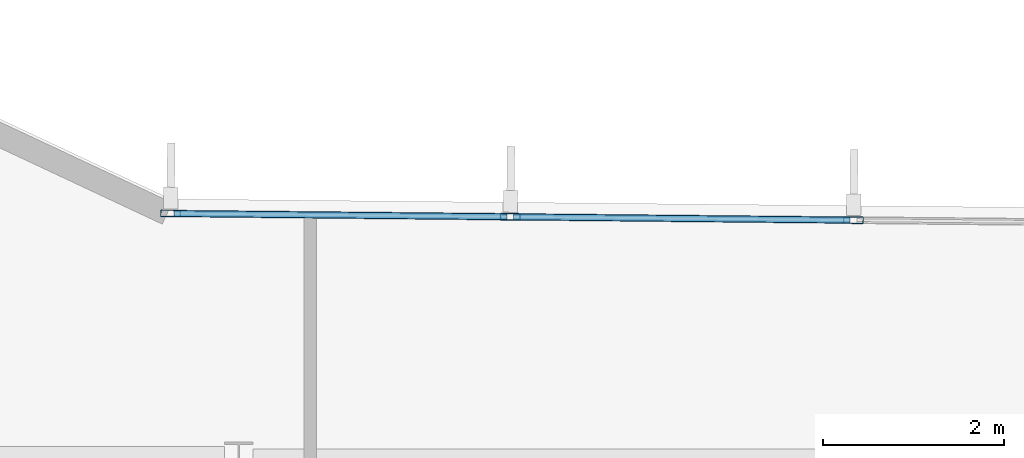
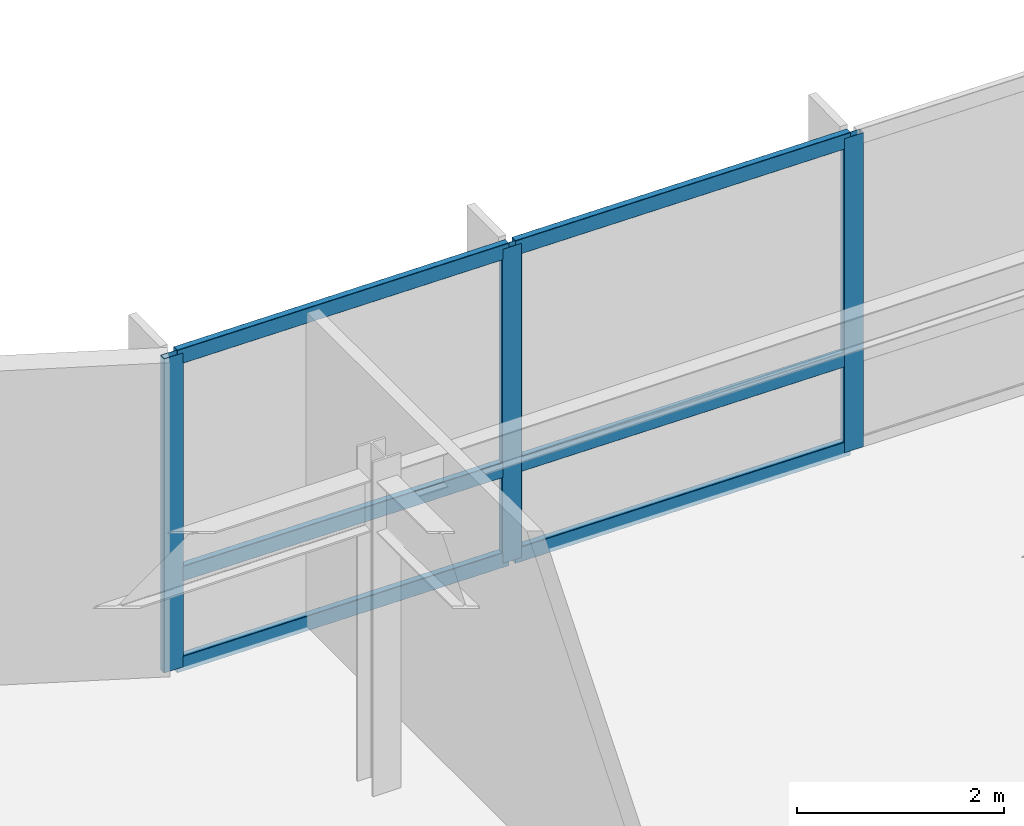
# One storey, part 4 of 18: 9 members, 1 element without a shape of its own.
"""IFC4 building model written with IfcOpenShell, lengths in metres."""

from ifc_helpers import new_model, si_unit, direction, frame, origin, origin_2d, place, context, subcontext, project, spatial, hollow_rectangle, extrude, material, layer, layer_set, material_profile, profile_set, type_object, element, aggregate, save


model = new_model("IFC4")

# Units and contexts
model_context = context("Model", 3, precision=1e-05, world=origin(), true_north=direction((0.0, 1.0)))
body_context = subcontext(model_context, "Body", "Model", "MODEL_VIEW")
ifc_project = project(units=[si_unit("LENGTHUNIT", "METRE"), si_unit("AREAUNIT", "SQUARE_METRE"), si_unit("VOLUMEUNIT", "CUBIC_METRE"), si_unit("PLANEANGLEUNIT", "RADIAN"), si_unit("MASSUNIT", "GRAM", prefix="KILO")], contexts=[model_context])

# Site, building, storey
site_placement = place(None, origin())
site = spatial("IfcSite", under=ifc_project, at=site_placement, CompositionType="ELEMENT")
building_placement = place(site_placement, origin())
building = spatial("IfcBuilding", under=site, at=building_placement, Name="Varnakote Quay Hospital", CompositionType="ELEMENT")
storey_placement = place(building_placement, frame((0.0, 0.0, 73.85009765625)))
storey = spatial("IfcBuildingStorey", under=building, at=storey_placement, Name="L18", CompositionType="ELEMENT", Elevation=73.85009765625)

# Curtain wall, members
ifc_material_1 = material(Name="Anodised aluminium 6063-T6 Bronze", Category="aluminium")
ifc_layer = layer(ifc_material_1, 0.18994140625)
ifc_layer_set = layer_set([ifc_layer], Name="Anodised aluminium 6063-T6 Bronze")
curtain_wall_type = type_object("IfcCurtainWallType", Name="CW-SYS-2", PredefinedType="NOTDEFINED", material=ifc_layer_set)
curtain_wall_placement = place(storey_placement, origin())
curtain_wall = element("IfcCurtainWall", 1, at=curtain_wall_placement, inside=storey, type_object=curtain_wall_type, Name="L18 Unitised Bronze Curtain Wall 2", PredefinedType="NOTDEFINED")
ifc_material_2 = material(Name="Anodised aluminium 6063-T6 Bronze", Category="aluminium")
ifc_material_profile_1 = material_profile(ifc_material_2, hollow_rectangle(XDim=0.074951171875, YDim=0.219970703125, WallThickness=0.00439453125, InnerFilletRadius=0.00439453125, OuterFilletRadius=0.009033203125, at=origin_2d()), Name="CW-MULL-220x75")
ifc_profile_set_1 = profile_set([ifc_material_profile_1], Name="Anodised aluminium 6063-T6 Bronze")
member_type_1 = type_object("IfcMemberType", Name="CW-MULL-220x75", PredefinedType="MULLION", material=ifc_profile_set_1)
member_1_placement = place(storey_placement, frame((31.99853515625, 31.418212890625, 0.0), z_axis=(0.0, 0.0, 1.0), x_axis=(-0.009774266312, -0.999952230718, 0.0)))
member_1 = element("IfcMember", 2, at=member_1_placement, type_object=member_type_1, Name="-2-L18-2 mullion 3", PredefinedType="MULLION", context=body_context, shape_type="SweptSolid", body=[
    extrude(hollow_rectangle(XDim=0.074951171875, YDim=0.219970703125, WallThickness=0.00439453125, InnerFilletRadius=0.00439453125, OuterFilletRadius=0.009033203125, at=origin_2d()), origin(), (0.0, 0.0, 1.0), 3.7099609375),
])
member_2_placement = place(storey_placement, frame((28.203125, 31.455078125, 0.0), z_axis=(0.0, 0.0, 1.0), x_axis=(-0.009774266312, -0.999952230718, 0.0)))
member_2 = element("IfcMember", 3, at=member_2_placement, type_object=member_type_1, Name="-2-L18-2 mullion 4", PredefinedType="MULLION", context=body_context, shape_type="SweptSolid", body=[
    extrude(hollow_rectangle(XDim=0.074951171875, YDim=0.219970703125, WallThickness=0.00439453125, InnerFilletRadius=0.00439453125, OuterFilletRadius=0.009033203125, at=origin_2d()), origin(), (0.0, 0.0, 1.0), 3.7099609375),
])
member_3_placement = place(storey_placement, frame((24.445068359375, 31.491943359375, 0.0), z_axis=(0.0, 0.0, 1.0), x_axis=(-0.009774266312, -0.999952230718, 0.0)))
member_3 = element("IfcMember", 4, at=member_3_placement, type_object=member_type_1, Name="-2-L18-2 mullion 5", PredefinedType="MULLION", context=body_context, shape_type="SweptSolid", body=[
    extrude(hollow_rectangle(XDim=0.074951171875, YDim=0.219970703125, WallThickness=0.00439453125, InnerFilletRadius=0.00439453125, OuterFilletRadius=0.009033203125, at=origin_2d()), origin(), (0.0, 0.0, 1.0), 3.7099609375),
])
ifc_material_3 = material(Name="Anodised aluminium 6063-T6 Bronze", Category="aluminium")
ifc_material_profile_2 = material_profile(ifc_material_3, hollow_rectangle(XDim=0.074951171875, YDim=0.179931640625, WallThickness=0.004150390625, InnerFilletRadius=0.004150390625, OuterFilletRadius=0.00830078125, at=origin_2d()), Name="CW-TRAN-180x75")
ifc_profile_set_2 = profile_set([ifc_material_profile_2], Name="Anodised aluminium 6063-T6 Bronze")
member_type_2 = type_object("IfcMemberType", Name="CW-TRAN-180x75", PredefinedType="USERDEFINED", material=ifc_profile_set_2)
member_4_placement = place(storey_placement, frame((31.961181640625, 31.41845703125, 0.037353515625), z_axis=(-0.999952209511, 0.009776435644, 0.0), x_axis=(-0.009776435644, -0.999952209511, 0.0)))
member_4 = element("IfcMember", 5, at=member_4_placement, type_object=member_type_2, Name="-2-L18-2 transom 3.1", ObjectType="TRANSOM", PredefinedType="USERDEFINED", context=body_context, shape_type="SweptSolid", body=[
    extrude(hollow_rectangle(XDim=0.074951171875, YDim=0.179931640625, WallThickness=0.004150390625, InnerFilletRadius=0.004150390625, OuterFilletRadius=0.00830078125, at=origin_2d()), origin(), (0.0, 0.0, 1.0), 3.720947265625),
])
member_5_placement = place(storey_placement, frame((31.961181640625, 31.41845703125, 1.099853515625), z_axis=(-0.999952209511, 0.009776435644, 0.0), x_axis=(-0.009776435644, -0.999952209511, 0.0)))
member_5 = element("IfcMember", 6, at=member_5_placement, type_object=member_type_2, Name="-2-L18-2 transom 3.2", ObjectType="TRANSOM", PredefinedType="USERDEFINED", context=body_context, shape_type="SweptSolid", body=[
    extrude(hollow_rectangle(XDim=0.074951171875, YDim=0.179931640625, WallThickness=0.004150390625, InnerFilletRadius=0.004150390625, OuterFilletRadius=0.00830078125, at=origin_2d()), origin(), (0.0, 0.0, 1.0), 3.720947265625),
])
member_6_placement = place(storey_placement, frame((31.961181640625, 31.41845703125, 3.67236328125), z_axis=(-0.999952209511, 0.009776435644, 0.0), x_axis=(-0.009776435644, -0.999952209511, 0.0)))
member_6 = element("IfcMember", 7, at=member_6_placement, type_object=member_type_2, Name="-2-L18-2 transom 3.3", ObjectType="TRANSOM", PredefinedType="USERDEFINED", context=body_context, shape_type="SweptSolid", body=[
    extrude(hollow_rectangle(XDim=0.074951171875, YDim=0.179931640625, WallThickness=0.004150390625, InnerFilletRadius=0.004150390625, OuterFilletRadius=0.00830078125, at=origin_2d()), origin(), (0.0, 0.0, 1.0), 3.720947265625),
])
member_7_placement = place(storey_placement, frame((28.16552734375, 31.45556640625, 0.037353515625), z_axis=(-0.999952523017, 0.00974431693, 0.0), x_axis=(-0.00974431693, -0.999952523017, 0.0)))
member_7 = element("IfcMember", 8, at=member_7_placement, type_object=member_type_2, Name="-2-L18-2 transom 4.1", ObjectType="TRANSOM", PredefinedType="USERDEFINED", context=body_context, shape_type="SweptSolid", body=[
    extrude(hollow_rectangle(XDim=0.074951171875, YDim=0.179931640625, WallThickness=0.004150390625, InnerFilletRadius=0.004150390625, OuterFilletRadius=0.00830078125, at=origin_2d()), origin(), (0.0, 0.0, 1.0), 3.68310546875),
])
member_8_placement = place(storey_placement, frame((28.16552734375, 31.45556640625, 1.099853515625), z_axis=(-0.999952523017, 0.00974431693, 0.0), x_axis=(-0.00974431693, -0.999952523017, 0.0)))
member_8 = element("IfcMember", 9, at=member_8_placement, type_object=member_type_2, Name="-2-L18-2 transom 4.2", ObjectType="TRANSOM", PredefinedType="USERDEFINED", context=body_context, shape_type="SweptSolid", body=[
    extrude(hollow_rectangle(XDim=0.074951171875, YDim=0.179931640625, WallThickness=0.004150390625, InnerFilletRadius=0.004150390625, OuterFilletRadius=0.00830078125, at=origin_2d()), origin(), (0.0, 0.0, 1.0), 3.68310546875),
])
member_9_placement = place(storey_placement, frame((28.16552734375, 31.45556640625, 3.67236328125), z_axis=(-0.999952523017, 0.00974431693, 0.0), x_axis=(-0.00974431693, -0.999952523017, 0.0)))
member_9 = element("IfcMember", 10, at=member_9_placement, type_object=member_type_2, Name="-2-L18-2 transom 4.3", ObjectType="TRANSOM", PredefinedType="USERDEFINED", context=body_context, shape_type="SweptSolid", body=[
    extrude(hollow_rectangle(XDim=0.074951171875, YDim=0.179931640625, WallThickness=0.004150390625, InnerFilletRadius=0.004150390625, OuterFilletRadius=0.00830078125, at=origin_2d()), origin(), (0.0, 0.0, 1.0), 3.68310546875),
])
aggregate(curtain_wall, [member_1, member_2, member_3, member_4, member_5, member_6, member_7, member_8, member_9])

save(model, "model.ifc")
